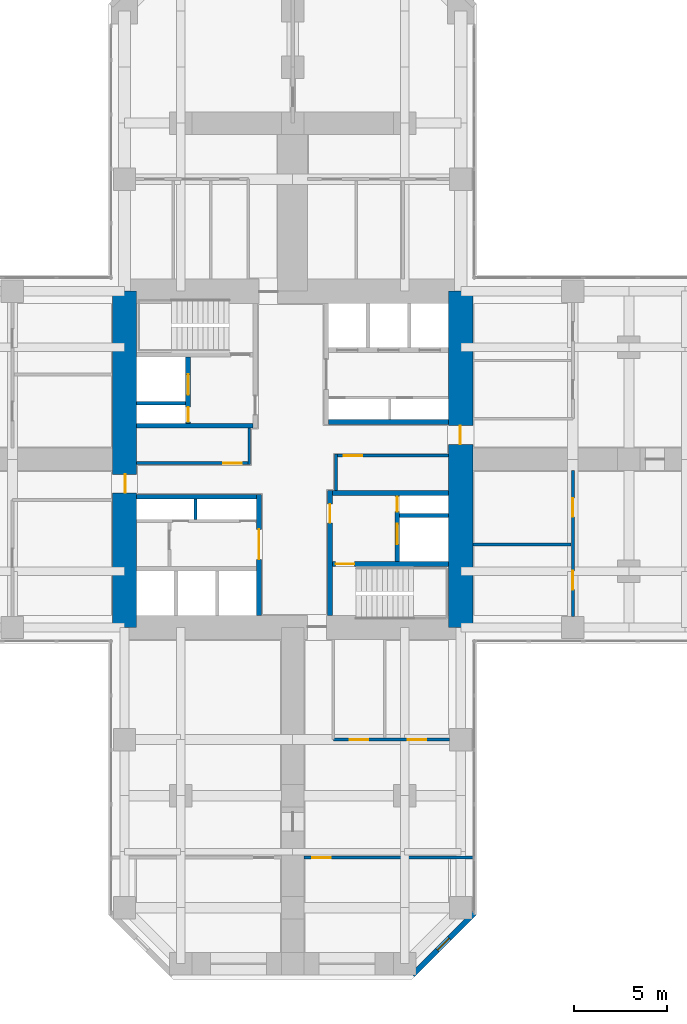
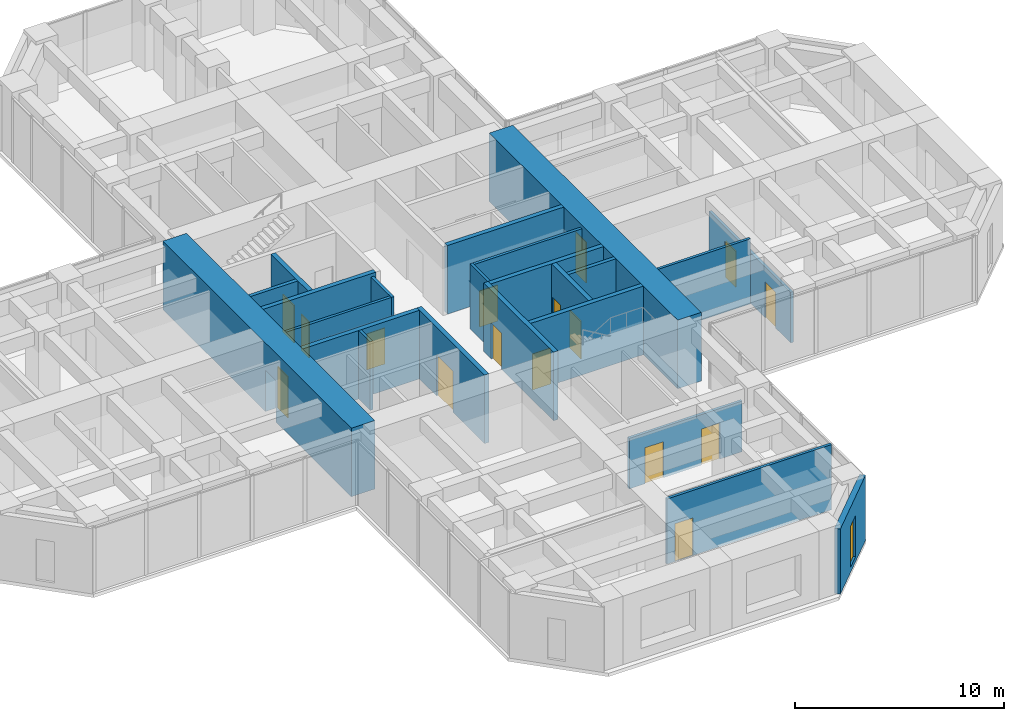
# One storey, part 9 of 12: 23 walls, 16 doors, 1 window, 17 openings.
"""IFC4 building model written with IfcOpenShell, lengths in metres."""

from ifc_helpers import new_model, si_unit, direction, frame, frame_2d, origin, place, context, subcontext, project, spatial, rectangle, hollow_rectangle, extrude, material, layer, layer_set, constituent, constituent_set, type_object, element, fill, save


model = new_model("IFC4")

# Units and contexts
model_context = context("Model", 3, precision=1e-05, world=origin(), true_north=direction((0.0, 1.0)))
body_context = subcontext(model_context, "Body", "Model", "MODEL_VIEW")
ifc_project = project(units=[si_unit("LENGTHUNIT", "METRE"), si_unit("AREAUNIT", "SQUARE_METRE"), si_unit("VOLUMEUNIT", "CUBIC_METRE"), si_unit("PLANEANGLEUNIT", "RADIAN"), si_unit("MASSUNIT", "GRAM", prefix="KILO")], contexts=[model_context])

# Site, building, storey
site_placement = place(None, origin())
site = spatial("IfcSite", under=ifc_project, at=site_placement, CompositionType="ELEMENT")
building_placement = place(site_placement, origin())
building = spatial("IfcBuilding", under=site, at=building_placement, Name="Torre Cruceta", CompositionType="ELEMENT")
storey_placement = place(building_placement, frame((0.0, 0.0, 87.5)))
storey = spatial("IfcBuildingStorey", under=building, at=storey_placement, Name="L21", CompositionType="ELEMENT", Elevation=87.5)

# Walls
ifc_material_1 = material(Name="Concrete G60 (fck 60 MPa)", Category="concrete")
ifc_layer_1 = layer(ifc_material_1, 0.25)
ifc_layer_set_1 = layer_set([ifc_layer_1], Name="Concrete G60 (fck 60 MPa)")
wall_type_1 = type_object("IfcWallType", Name="CORE INNER WALL 250 G60", PredefinedType="SHEAR", material=ifc_layer_set_1)
wall_1_placement = place(storey_placement, frame((1.925048828125, 2.0, 0.0), z_axis=(0.0, 0.0, 1.0), x_axis=(1.0, 0.0, 0.0)))
element("IfcWall", 1, at=wall_1_placement, inside=storey, type_object=wall_type_1, Name="CW4 L21 NE-CV", PredefinedType="SHEAR", context=body_context, shape_type="SweptSolid", body=[
    extrude(rectangle(XDim=6.425048828125, YDim=0.25, at=frame_2d((3.21240234375, 0.0))), origin(), (0.0, 0.0, 1.0), 4.0),
])
wall_2_placement = place(storey_placement, frame((-2.125, 1.800048828125, 0.0), z_axis=(0.0, 0.0, 1.0), x_axis=(-1.0, 0.0, 0.0)))
element("IfcWall", 2, at=wall_2_placement, inside=storey, type_object=wall_type_1, Name="CW4 L21 NW-CV", PredefinedType="SHEAR", context=body_context, shape_type="SweptSolid", body=[
    extrude(rectangle(XDim=6.22509765625, YDim=0.25, at=frame_2d((3.112548828125, 0.0))), origin(), (0.0, 0.0, 1.0), 4.0),
])

# Wall, openings, doors
wall_3_placement = place(storey_placement, frame((-5.60009765625, 1.925048828125, 0.0), z_axis=(0.0, 0.0, 1.0), x_axis=(0.0, 1.0, 0.0)))
wall_3 = element("IfcWall", 3, at=wall_3_placement, inside=storey, type_object=wall_type_1, Name="CW4 L21 NW-FU", PredefinedType="SHEAR", context=body_context, shape_type="SweptSolid", body=[
    extrude(rectangle(XDim=3.550048828125, YDim=0.25, at=frame_2d((1.77490234375, 0.0))), origin(), (0.0, 0.0, 1.0), 4.0),
])
opening_1_placement = place(wall_3_placement, frame((1.52490234375, 0.0, 0.0)))
opening_1 = element("IfcOpeningElement", 4, at=opening_1_placement, cuts=wall_3, Name="Opening LD1", PredefinedType="OPENING", context=body_context, shape_type="SweptSolid", body=[
    extrude(rectangle(XDim=1.10009765625, YDim=2.199951171875, at=frame_2d((0.550048828125, 1.10009765625))), frame((0.0, 0.135009765625, 0.0), z_axis=(0.0, -1.0, 0.0), x_axis=(1.0, 0.0, 0.0)), (0.0, 0.0, 1.0), 0.27001953125),
])
opening_2_placement = place(wall_3_placement, frame((0.074951171875, 0.0, 0.0)))
opening_2 = element("IfcOpeningElement", 5, at=opening_2_placement, cuts=wall_3, Name="Opening D5", PredefinedType="OPENING", context=body_context, shape_type="SweptSolid", body=[
    extrude(rectangle(XDim=0.800048828125, YDim=2.10009765625, at=frame_2d((0.39990234375, 1.050048828125))), frame((0.0, 0.135009765625, 0.0), z_axis=(0.0, -1.0, 0.0), x_axis=(1.0, 0.0, 0.0)), (0.0, 0.0, 1.0), 0.27001953125),
])
ifc_material_2 = material(Name="Stainless steel 1.4401", Category="steel")
door_type_1 = type_object("IfcDoorType", Name="LIFT LANDING DOOR 1100X2200", OperationType="DOUBLE_DOOR_SLIDING", PredefinedType="DOOR", material=ifc_material_2)
door_1_placement = place(opening_1_placement, origin())
door_1 = element("IfcDoor", 6, at=door_1_placement, inside=storey, type_object=door_type_1, Name="Lift landing door FL1", OperationType="DOUBLE_DOOR_SLIDING", OverallHeight=2.199951171875, OverallWidth=1.10009765625, PredefinedType="DOOR", context=body_context, shape_type="SweptSolid", body=[
    extrude(rectangle(XDim=1.10009765625, YDim=2.199951171875, at=frame_2d((0.550048828125, 1.10009765625))), frame((0.0, 0.02490234375, 0.0), z_axis=(0.0, -1.0, 0.0), x_axis=(1.0, 0.0, 0.0)), (0.0, 0.0, 1.0), 0.050048828125),
])
fill(opening_1, door_1)
ifc_material_3 = material(Name="Steel DX51D", Category="steel")
ifc_constituent_1 = constituent(ifc_material_3, Name="Leaf and frame")
ifc_material_4 = material(Name="Polyester powder coating", Category="paint")
ifc_constituent_2 = constituent(ifc_material_4, Name="Finish")
ifc_constituent_set_1 = constituent_set(constituents=[ifc_constituent_1, ifc_constituent_2], Name="Steel fire door")
door_type_2 = type_object("IfcDoorType", Name="RISER ACCESS DOOR 800X2100", OperationType="SINGLE_SWING_LEFT", PredefinedType="DOOR", material=ifc_constituent_set_1)
door_2_placement = place(opening_2_placement, origin())
door_2 = element("IfcDoor", 7, at=door_2_placement, inside=storey, type_object=door_type_2, Name="D5 L21 NW-RISER", OperationType="SINGLE_SWING_LEFT", OverallHeight=2.10009765625, OverallWidth=0.800048828125, PredefinedType="DOOR", context=body_context, shape_type="SweptSolid", body=[
    extrude(rectangle(XDim=0.800048828125, YDim=2.10009765625, at=frame_2d((0.39990234375, 1.050048828125))), frame((0.0, 0.02490234375, 0.0), z_axis=(0.0, -1.0, 0.0), x_axis=(1.0, 0.0, 0.0)), (0.0, 0.0, 1.0), 0.050048828125),
])
fill(opening_2, door_2)

# Wall, opening, door
wall_4_placement = place(storey_placement, frame((-1.800048828125, -1.875, 0.0), z_axis=(0.0, 0.0, 1.0), x_axis=(0.0, -1.0, 0.0)))
wall_4 = element("IfcWall", 8, at=wall_4_placement, inside=storey, type_object=wall_type_1, Name="CW4 L21 SW-CU", PredefinedType="SHEAR", context=body_context, shape_type="SweptSolid", body=[
    extrude(rectangle(XDim=6.47509765625, YDim=0.25, at=frame_2d((3.237548828125, 0.0))), origin(), (0.0, 0.0, 1.0), 4.0),
])
opening_3_placement = place(wall_4_placement, frame((1.875, 0.0, 0.0)))
opening_3 = element("IfcOpeningElement", 9, at=opening_3_placement, cuts=wall_4, Name="Opening D15", PredefinedType="OPENING", context=body_context, shape_type="SweptSolid", body=[
    extrude(rectangle(XDim=1.60009765625, YDim=2.39990234375, at=frame_2d((0.800048828125, 1.199951171875))), frame((0.0, 0.135009765625, 0.0), z_axis=(0.0, -1.0, 0.0), x_axis=(1.0, 0.0, 0.0)), (0.0, 0.0, 1.0), 0.27001953125),
])
ifc_material_5 = material(Name="Steel DX51D", Category="steel")
ifc_constituent_3 = constituent(ifc_material_5, Name="Leaf and frame")
ifc_material_6 = material(Name="Polyester powder coating", Category="paint")
ifc_constituent_4 = constituent(ifc_material_6, Name="Finish")
ifc_constituent_set_2 = constituent_set(constituents=[ifc_constituent_3, ifc_constituent_4], Name="Steel fire door")
door_type_3 = type_object("IfcDoorType", Name="CORE ROOM DOUBLE DOOR 1600X2400", OperationType="DOUBLE_DOOR_SINGLE_SWING", PredefinedType="DOOR", material=ifc_constituent_set_2)
door_3_placement = place(opening_3_placement, frame((1.60009765625, 0.0, 0.0), z_axis=(0.0, 0.0, 1.0), x_axis=(-1.0, 0.0, 0.0)))
door_3 = element("IfcDoor", 10, at=door_3_placement, inside=storey, type_object=door_type_3, Name="D15 L21 SW-LOBBY", OperationType="DOUBLE_DOOR_SINGLE_SWING", OverallHeight=2.39990234375, OverallWidth=1.60009765625, PredefinedType="DOOR", context=body_context, shape_type="SweptSolid", body=[
    extrude(rectangle(XDim=1.60009765625, YDim=2.39990234375, at=frame_2d((0.800048828125, 1.199951171875))), frame((0.0, 0.025146484375, 0.0), z_axis=(0.0, -1.0, 0.0), x_axis=(1.0, 0.0, 0.0)), (0.0, 0.0, 1.0), 0.050048828125),
])
fill(opening_3, door_3)

# Wall
wall_5_placement = place(storey_placement, frame((-1.925048828125, -2.0, 0.0), z_axis=(0.0, 0.0, 1.0), x_axis=(-1.0, 0.0, 0.0)))
element("IfcWall", 11, at=wall_5_placement, inside=storey, type_object=wall_type_1, Name="CW4 L21 SW-CV", PredefinedType="SHEAR", context=body_context, shape_type="SweptSolid", body=[
    extrude(rectangle(XDim=6.425048828125, YDim=0.25, at=frame_2d((3.21240234375, 0.0))), origin(), (0.0, 0.0, 1.0), 4.0),
])

# Wall, opening, door
wall_6_placement = place(storey_placement, frame((2.0, -1.675048828125, 0.0), z_axis=(0.0, 0.0, 1.0), x_axis=(0.0, -1.0, 0.0)))
wall_6 = element("IfcWall", 12, at=wall_6_placement, inside=storey, type_object=wall_type_1, Name="CW4 L21 SE-CU", PredefinedType="SHEAR", context=body_context, shape_type="SweptSolid", body=[
    extrude(rectangle(XDim=6.675048828125, YDim=0.25, at=frame_2d((3.33740234375, 0.0))), origin(), (0.0, 0.0, 1.0), 4.0),
])
opening_4_placement = place(wall_6_placement, frame((0.72509765625, 0.0, 0.0)))
opening_4 = element("IfcOpeningElement", 13, at=opening_4_placement, cuts=wall_6, Name="Opening D3", PredefinedType="OPENING", context=body_context, shape_type="SweptSolid", body=[
    extrude(rectangle(XDim=1.0, YDim=2.10009765625, at=frame_2d((0.5, 1.050048828125))), frame((0.0, 0.135009765625, 0.0), z_axis=(0.0, -1.0, 0.0), x_axis=(1.0, 0.0, 0.0)), (0.0, 0.0, 1.0), 0.27001953125),
])
ifc_material_7 = material(Name="Steel DX51D", Category="steel")
ifc_constituent_5 = constituent(ifc_material_7, Name="Leaf and frame")
ifc_material_8 = material(Name="Polyester powder coating", Category="paint")
ifc_constituent_6 = constituent(ifc_material_8, Name="Finish")
ifc_constituent_set_3 = constituent_set(constituents=[ifc_constituent_5, ifc_constituent_6], Name="Steel fire door")
door_type_4 = type_object("IfcDoorType", Name="FIRE DOOR 1000X2100", OperationType="SINGLE_SWING_LEFT", PredefinedType="DOOR", material=ifc_constituent_set_3)
door_4_placement = place(opening_4_placement, origin())
door_4 = element("IfcDoor", 14, at=door_4_placement, inside=storey, type_object=door_type_4, Name="D3 L21 SE-LOBBY", OperationType="SINGLE_SWING_LEFT", OverallHeight=2.10009765625, OverallWidth=1.0, PredefinedType="DOOR", context=body_context, shape_type="SweptSolid", body=[
    extrude(rectangle(XDim=1.0, YDim=2.10009765625, at=frame_2d((0.5, 1.050048828125))), frame((0.0, 0.02490234375, 0.0), z_axis=(0.0, -1.0, 0.0), x_axis=(1.0, 0.0, 0.0)), (0.0, 0.0, 1.0), 0.050048828125),
])
fill(opening_4, door_4)

# Wall
wall_7_placement = place(storey_placement, frame((2.125, -1.800048828125, 0.0), z_axis=(0.0, 0.0, 1.0), x_axis=(1.0, 0.0, 0.0)))
element("IfcWall", 15, at=wall_7_placement, inside=storey, type_object=wall_type_1, Name="CW4 L21 SE-CV", PredefinedType="SHEAR", context=body_context, shape_type="SweptSolid", body=[
    extrude(rectangle(XDim=6.22509765625, YDim=0.25, at=frame_2d((3.112548828125, 0.0))), origin(), (0.0, 0.0, 1.0), 4.0),
])

# Wall, opening, door
wall_8_placement = place(storey_placement, frame((2.125, -5.60009765625, 0.0), z_axis=(0.0, 0.0, 1.0), x_axis=(1.0, 0.0, 0.0)))
wall_8 = element("IfcWall", 16, at=wall_8_placement, inside=storey, type_object=wall_type_1, Name="CW4 L21 SE-SV", PredefinedType="SHEAR", context=body_context, shape_type="SweptSolid", body=[
    extrude(rectangle(XDim=6.22509765625, YDim=0.25, at=frame_2d((3.112548828125, 0.0))), origin(), (0.0, 0.0, 1.0), 4.0),
])
opening_5_placement = place(wall_8_placement, frame((0.175048828125, 0.0, 0.0)))
opening_5 = element("IfcOpeningElement", 17, at=opening_5_placement, cuts=wall_8, Name="Opening D3", PredefinedType="OPENING", context=body_context, shape_type="SweptSolid", body=[
    extrude(rectangle(XDim=1.0, YDim=2.10009765625, at=frame_2d((0.5, 1.050048828125))), frame((0.0, 0.135009765625, 0.0), z_axis=(0.0, -1.0, 0.0), x_axis=(1.0, 0.0, 0.0)), (0.0, 0.0, 1.0), 0.27001953125),
])
door_5_placement = place(opening_5_placement, frame((1.0, 0.0, 0.0), z_axis=(0.0, 0.0, 1.0), x_axis=(-1.0, 0.0, 0.0)))
door_5 = element("IfcDoor", 18, at=door_5_placement, inside=storey, type_object=door_type_4, Name="D3 L21 SE-STAIR", OperationType="SINGLE_SWING_RIGHT", OverallHeight=2.10009765625, OverallWidth=1.0, PredefinedType="DOOR", context=body_context, shape_type="SweptSolid", body=[
    extrude(rectangle(XDim=1.0, YDim=2.10009765625, at=frame_2d((0.5, 1.050048828125))), frame((0.0, 0.025146484375, 0.0), z_axis=(0.0, -1.0, 0.0), x_axis=(1.0, 0.0, 0.0)), (0.0, 0.0, 1.0), 0.050048828125),
])
fill(opening_5, door_5)

# Wall, openings, doors
wall_9_placement = place(storey_placement, frame((5.60009765625, -1.925048828125, 0.0), z_axis=(0.0, 0.0, 1.0), x_axis=(0.0, -1.0, 0.0)))
wall_9 = element("IfcWall", 19, at=wall_9_placement, inside=storey, type_object=wall_type_1, Name="CW4 L21 SE-FU", PredefinedType="SHEAR", context=body_context, shape_type="SweptSolid", body=[
    extrude(rectangle(XDim=3.550048828125, YDim=0.25, at=frame_2d((1.77490234375, 0.0))), origin(), (0.0, 0.0, 1.0), 4.0),
])
opening_6_placement = place(wall_9_placement, frame((1.52490234375, 0.0, 0.0)))
opening_6 = element("IfcOpeningElement", 20, at=opening_6_placement, cuts=wall_9, Name="Opening LD1", PredefinedType="OPENING", context=body_context, shape_type="SweptSolid", body=[
    extrude(rectangle(XDim=1.10009765625, YDim=2.199951171875, at=frame_2d((0.550048828125, 1.10009765625))), frame((0.0, 0.135009765625, 0.0), z_axis=(0.0, -1.0, 0.0), x_axis=(1.0, 0.0, 0.0)), (0.0, 0.0, 1.0), 0.27001953125),
])
opening_7_placement = place(wall_9_placement, frame((0.074951171875, 0.0, 0.0)))
opening_7 = element("IfcOpeningElement", 21, at=opening_7_placement, cuts=wall_9, Name="Opening D5", PredefinedType="OPENING", context=body_context, shape_type="SweptSolid", body=[
    extrude(rectangle(XDim=0.800048828125, YDim=2.10009765625, at=frame_2d((0.39990234375, 1.050048828125))), frame((0.0, 0.135009765625, 0.0), z_axis=(0.0, -1.0, 0.0), x_axis=(1.0, 0.0, 0.0)), (0.0, 0.0, 1.0), 0.27001953125),
])
door_6_placement = place(opening_6_placement, origin())
door_6 = element("IfcDoor", 22, at=door_6_placement, inside=storey, type_object=door_type_1, Name="Lift landing door FL2", OperationType="DOUBLE_DOOR_SLIDING", OverallHeight=2.199951171875, OverallWidth=1.10009765625, PredefinedType="DOOR", context=body_context, shape_type="SweptSolid", body=[
    extrude(rectangle(XDim=1.10009765625, YDim=2.199951171875, at=frame_2d((0.550048828125, 1.10009765625))), frame((0.0, 0.02490234375, 0.0), z_axis=(0.0, -1.0, 0.0), x_axis=(1.0, 0.0, 0.0)), (0.0, 0.0, 1.0), 0.050048828125),
])
fill(opening_6, door_6)
door_7_placement = place(opening_7_placement, origin())
door_7 = element("IfcDoor", 23, at=door_7_placement, inside=storey, type_object=door_type_2, Name="D5 L21 SE-RISER", OperationType="SINGLE_SWING_LEFT", OverallHeight=2.10009765625, OverallWidth=0.800048828125, PredefinedType="DOOR", context=body_context, shape_type="SweptSolid", body=[
    extrude(rectangle(XDim=0.800048828125, YDim=2.10009765625, at=frame_2d((0.39990234375, 1.050048828125))), frame((0.0, 0.02490234375, 0.0), z_axis=(0.0, -1.0, 0.0), x_axis=(1.0, 0.0, 0.0)), (0.0, 0.0, 1.0), 0.050048828125),
])
fill(opening_7, door_7)

# Wall, opening, door
ifc_material_9 = material(Name="Concrete G60 (fck 60 MPa)", Category="concrete")
ifc_layer_2 = layer(ifc_material_9, 1.300048828125)
ifc_layer_set_2 = layer_set([ifc_layer_2], Name="Concrete G60 (fck 60 MPa)")
wall_type_2 = type_object("IfcWallType", Name="CORE WALL 1300 G60", PredefinedType="SHEAR", material=ifc_layer_set_2)
wall_10_placement = place(storey_placement, frame((9.0, -9.0, 0.0), z_axis=(0.0, 0.0, 1.0), x_axis=(0.0, 1.0, 0.0)))
wall_10 = element("IfcWall", 24, at=wall_10_placement, inside=storey, type_object=wall_type_2, Name="CW1 L21 CW-E", PredefinedType="SHEAR", context=body_context, shape_type="SweptSolid", body=[
    extrude(rectangle(XDim=18.0, YDim=1.300048828125, at=frame_2d((9.0, 0.0))), origin(), (0.0, 0.0, 1.0), 4.0),
])
opening_8_placement = place(wall_10_placement, frame((9.800048828125, 0.0, 0.0)))
opening_8 = element("IfcOpeningElement", 25, at=opening_8_placement, cuts=wall_10, Name="Opening D4", PredefinedType="OPENING", context=body_context, shape_type="SweptSolid", body=[
    extrude(rectangle(XDim=1.0, YDim=2.39990234375, at=frame_2d((0.5, 1.199951171875))), frame((0.0, 0.659912109375, 0.0), z_axis=(0.0, -1.0, 0.0), x_axis=(1.0, 0.0, 0.0)), (0.0, 0.0, 1.0), 1.320068359375),
])
ifc_material_10 = material(Name="Steel DX51D", Category="steel")
ifc_constituent_7 = constituent(ifc_material_10, Name="Leaf and frame")
ifc_material_11 = material(Name="Polyester powder coating", Category="paint")
ifc_constituent_8 = constituent(ifc_material_11, Name="Finish")
ifc_constituent_set_4 = constituent_set(constituents=[ifc_constituent_7, ifc_constituent_8], Name="Steel fire door")
door_type_5 = type_object("IfcDoorType", Name="CORE ARM DOOR 1000X2400", OperationType="SINGLE_SWING_RIGHT", PredefinedType="DOOR", material=ifc_constituent_set_4)
door_8_placement = place(opening_8_placement, frame((1.0, 0.0, 0.0), z_axis=(0.0, 0.0, 1.0), x_axis=(-1.0, 0.0, 0.0)))
door_8 = element("IfcDoor", 26, at=door_8_placement, inside=storey, type_object=door_type_5, Name="D4 L21 CW-E", OperationType="SINGLE_SWING_RIGHT", OverallHeight=2.39990234375, OverallWidth=1.0, PredefinedType="DOOR", context=body_context, shape_type="SweptSolid", body=[
    extrude(rectangle(XDim=1.0, YDim=2.39990234375, at=frame_2d((0.5, 1.199951171875))), frame((0.0, -0.005126953125, 0.0), z_axis=(0.0, -1.0, 0.0), x_axis=(1.0, 0.0, 0.0)), (0.0, 0.0, 1.0), 0.050048828125),
])
fill(opening_8, door_8)

wall_11_placement = place(storey_placement, frame((-9.0, 9.0, 0.0), z_axis=(0.0, 0.0, 1.0), x_axis=(0.0, -1.0, 0.0)))
wall_11 = element("IfcWall", 27, at=wall_11_placement, inside=storey, type_object=wall_type_2, Name="CW1 L21 CW-W", PredefinedType="SHEAR", context=body_context, shape_type="SweptSolid", body=[
    extrude(rectangle(XDim=18.0, YDim=1.300048828125, at=frame_2d((9.0, 0.0))), origin(), (0.0, 0.0, 1.0), 4.0),
])
opening_9_placement = place(wall_11_placement, frame((9.800048828125, 0.0, 0.0)))
opening_9 = element("IfcOpeningElement", 28, at=opening_9_placement, cuts=wall_11, Name="Opening D4", PredefinedType="OPENING", context=body_context, shape_type="SweptSolid", body=[
    extrude(rectangle(XDim=1.0, YDim=2.39990234375, at=frame_2d((0.5, 1.199951171875))), frame((0.0, 0.659912109375, 0.0), z_axis=(0.0, -1.0, 0.0), x_axis=(1.0, 0.0, 0.0)), (0.0, 0.0, 1.0), 1.320068359375),
])
door_9_placement = place(opening_9_placement, frame((1.0, 0.0, 0.0), z_axis=(0.0, 0.0, 1.0), x_axis=(-1.0, 0.0, 0.0)))
door_9 = element("IfcDoor", 29, at=door_9_placement, inside=storey, type_object=door_type_5, Name="D4 L21 CW-W", OperationType="SINGLE_SWING_RIGHT", OverallHeight=2.39990234375, OverallWidth=1.0, PredefinedType="DOOR", context=body_context, shape_type="SweptSolid", body=[
    extrude(rectangle(XDim=1.0, YDim=2.39990234375, at=frame_2d((0.5, 1.199951171875))), frame((0.0, -0.005126953125, 0.0), z_axis=(0.0, -1.0, 0.0), x_axis=(1.0, 0.0, 0.0)), (0.0, 0.0, 1.0), 0.050048828125),
])
fill(opening_9, door_9)

# Wall, opening, window
ifc_material_12 = material(Name="Concrete G30 (fck 30 MPa)", Category="concrete")
ifc_layer_3 = layer(ifc_material_12, 0.300048828125)
ifc_layer_set_3 = layer_set([ifc_layer_3], Name="Concrete G30 (fck 30 MPa)")
wall_type_3 = type_object("IfcWallType", Name="EXPOSED CONCRETE FACADE WALL 300", PredefinedType="SOLIDWALL", material=ifc_layer_set_3)
wall_12_placement = place(storey_placement, frame((6.418212890625, -27.60009765625, 0.0), z_axis=(0.0, 0.0, 1.0), x_axis=(0.707106781187, 0.707106781187, 0.0)))
wall_12 = element("IfcWall", 30, at=wall_12_placement, inside=storey, type_object=wall_type_3, Name="EW1 facade wall L21 S chamfer 18", PredefinedType="SOLIDWALL", context=body_context, shape_type="SweptSolid", body=[
    extrude(rectangle(XDim=4.66943359375, YDim=0.300048828125, at=frame_2d((2.334716796875, 0.0))), origin(), (0.0, 0.0, 1.0), 3.800048828125),
])
opening_10_placement = place(wall_12_placement, frame((1.884765625, 0.0, 0.300048828125)))
opening_10 = element("IfcOpeningElement", 31, at=opening_10_placement, cuts=wall_12, Name="Opening WN5", PredefinedType="OPENING", context=body_context, shape_type="SweptSolid", body=[
    extrude(rectangle(XDim=0.89990234375, YDim=2.39990234375, at=frame_2d((0.449951171875, 1.199951171875))), frame((0.0, 0.159912109375, 0.0), z_axis=(0.0, -1.0, 0.0), x_axis=(1.0, 0.0, 0.0)), (0.0, 0.0, 1.0), 0.320068359375),
])
ifc_material_13 = material(Name="Aluminium window frame", Category="aluminium")
ifc_constituent_9 = constituent(ifc_material_13, Name="Frame")
ifc_material_14 = material(Name="Laminated insulating glass unit, low-iron clear", Category="glass")
ifc_constituent_10 = constituent(ifc_material_14, Name="Glazing")
ifc_constituent_set_5 = constituent_set(constituents=[ifc_constituent_9, ifc_constituent_10], Name="Aluminium window")
window_type = type_object("IfcWindowType", Name="CHAMFER SLOT WINDOW 900X2400", PartitioningType="SINGLE_PANEL", PredefinedType="WINDOW", material=ifc_constituent_set_5)
window_placement = place(opening_10_placement, origin())
window = element("IfcWindow", 32, at=window_placement, inside=storey, type_object=window_type, Name="WN5 L21 S 1", OverallHeight=2.39990234375, OverallWidth=0.89990234375, PartitioningType="SINGLE_PANEL", PredefinedType="WINDOW", context=body_context, shape_type="SweptSolid", body=[
    extrude(hollow_rectangle(XDim=0.89990234375, YDim=2.39990234375, WallThickness=0.06005859375, at=frame_2d((0.449951171875, 1.199951171875))), frame((0.0, 0.030029296875, 0.0), z_axis=(0.0, -1.0, 0.0), x_axis=(1.0, 0.0, 0.0)), (0.0, 0.0, 1.0), 0.06005859375),
    extrude(rectangle(XDim=0.77880859375, YDim=2.27880859375, at=frame_2d((0.449951171875, 1.199951171875))), frame((0.0, 0.030029296875, 0.0), z_axis=(0.0, -1.0, 0.0), x_axis=(1.0, 0.0, 0.0)), (0.0, 0.0, 1.0), 0.06005859375),
])
fill(opening_10, window)

# Walls
ifc_material_15 = material(Name="Concrete G35 (fck 35 MPa)", Category="concrete")
ifc_layer_4 = layer(ifc_material_15, 0.199951171875)
ifc_layer_set_4 = layer_set([ifc_layer_4], Name="Concrete G35 (fck 35 MPa)")
wall_type_4 = type_object("IfcWallType", Name="LIFT SHAFT WALL 200", PredefinedType="PARTITIONING", material=ifc_layer_set_4)
for number, where, z_axis, x_axis, name in (
    (33, (-5.72509765625, 3.0, 0.0), (0.0, 0.0, 1.0), (-1.0, 0.0, 0.0), "SW1 L21 NW-FR"),
    (34, (5.72509765625, -3.0, 0.0), (0.0, 0.0, 1.0), (1.0, 0.0, 0.0), "SW1 L21 SE-FR"),
):
    element("IfcWall", number, at=place(storey_placement, frame(where, z_axis=z_axis, x_axis=x_axis)), inside=storey, type_object=wall_type_4, Name=name, PredefinedType="PARTITIONING", context=body_context, shape_type="SweptSolid", body=[
        extrude(rectangle(XDim=2.625, YDim=0.199951171875, at=frame_2d((1.3125, 0.0))), origin(), (0.0, 0.0, 1.0), 4.0),
    ])

# Wall, opening, door
ifc_material_16 = material(Name="Plasterboard on steel studs", Category="steel")
ifc_layer_5 = layer(ifc_material_16, 0.14990234375)
ifc_layer_set_5 = layer_set([ifc_layer_5], Name="Plasterboard on steel studs")
wall_type_5 = type_object("IfcWallType", Name="PARTITION 150", PredefinedType="PARTITIONING", material=ifc_layer_set_5)
wall_13_placement = place(storey_placement, frame((2.324951171875, 0.199951171875, 0.0), z_axis=(0.0, 0.0, 1.0), x_axis=(1.0, 0.0, 0.0)))
wall_13 = element("IfcWall", 35, at=wall_13_placement, inside=storey, type_object=wall_type_5, Name="PT1 L21-CORE-LEGE-S-W1", PredefinedType="PARTITIONING", context=body_context, shape_type="SweptSolid", body=[
    extrude(rectangle(XDim=6.025146484375, YDim=0.14990234375, at=frame_2d((3.0126953125, 0.0))), origin(), (0.0, 0.0, 1.0), 3.800048828125),
])
opening_11_placement = place(wall_13_placement, frame((0.39990234375, 0.0, 0.0)))
opening_11 = element("IfcOpeningElement", 36, at=opening_11_placement, cuts=wall_13, Name="Opening D3", PredefinedType="OPENING", context=body_context, shape_type="SweptSolid", body=[
    extrude(rectangle(XDim=1.0, YDim=2.10009765625, at=frame_2d((0.5, 1.050048828125))), frame((0.0, 0.0849609375, 0.0), z_axis=(0.0, -1.0, 0.0), x_axis=(1.0, 0.0, 0.0)), (0.0, 0.0, 1.0), 0.169921875),
])
door_10_placement = place(opening_11_placement, frame((1.0, 0.0, 0.0), z_axis=(0.0, 0.0, 1.0), x_axis=(-1.0, 0.0, 0.0)))
door_10 = element("IfcDoor", 37, at=door_10_placement, inside=storey, type_object=door_type_4, Name="D3 L21-CORE-LEGE-S-W1-D1", OperationType="SINGLE_SWING_RIGHT", OverallHeight=2.10009765625, OverallWidth=1.0, PredefinedType="DOOR", context=body_context, shape_type="SweptSolid", body=[
    extrude(rectangle(XDim=1.0, YDim=2.10009765625, at=frame_2d((0.5, 1.050048828125))), frame((0.0, 0.025146484375, 0.0), z_axis=(0.0, -1.0, 0.0), x_axis=(1.0, 0.0, 0.0)), (0.0, 0.0, 1.0), 0.050048828125),
])
fill(opening_11, door_10)

# Wall
wall_14_placement = place(storey_placement, frame((2.324951171875, -1.675048828125, 0.0), z_axis=(0.0, 0.0, 1.0), x_axis=(0.0, 1.0, 0.0)))
element("IfcWall", 38, at=wall_14_placement, inside=storey, type_object=wall_type_5, Name="PT1 L21-CORE-LEGE-S-W2", PredefinedType="PARTITIONING", context=body_context, shape_type="SweptSolid", body=[
    extrude(rectangle(XDim=1.949951171875, YDim=0.14990234375, at=frame_2d((0.97509765625, 0.0))), origin(), (0.0, 0.0, 1.0), 3.800048828125),
])

# Wall, opening, door
wall_15_placement = place(storey_placement, frame((-2.324951171875, -0.199951171875, 0.0), z_axis=(0.0, 0.0, 1.0), x_axis=(-1.0, 0.0, 0.0)))
wall_15 = element("IfcWall", 39, at=wall_15_placement, inside=storey, type_object=wall_type_5, Name="PT1 L21-CORE-LEGW-N-W1", PredefinedType="PARTITIONING", context=body_context, shape_type="SweptSolid", body=[
    extrude(rectangle(XDim=6.025146484375, YDim=0.14990234375, at=frame_2d((3.0126953125, 0.0))), origin(), (0.0, 0.0, 1.0), 3.800048828125),
])
opening_12_placement = place(wall_15_placement, frame((0.39990234375, 0.0, 0.0)))
opening_12 = element("IfcOpeningElement", 40, at=opening_12_placement, cuts=wall_15, Name="Opening D3", PredefinedType="OPENING", context=body_context, shape_type="SweptSolid", body=[
    extrude(rectangle(XDim=1.0, YDim=2.10009765625, at=frame_2d((0.5, 1.050048828125))), frame((0.0, 0.0849609375, 0.0), z_axis=(0.0, -1.0, 0.0), x_axis=(1.0, 0.0, 0.0)), (0.0, 0.0, 1.0), 0.169921875),
])
door_11_placement = place(opening_12_placement, frame((1.0, 0.0, 0.0), z_axis=(0.0, 0.0, 1.0), x_axis=(-1.0, 0.0, 0.0)))
door_11 = element("IfcDoor", 41, at=door_11_placement, inside=storey, type_object=door_type_4, Name="D3 L21-CORE-LEGW-N-W1-D1", OperationType="SINGLE_SWING_RIGHT", OverallHeight=2.10009765625, OverallWidth=1.0, PredefinedType="DOOR", context=body_context, shape_type="SweptSolid", body=[
    extrude(rectangle(XDim=1.0, YDim=2.10009765625, at=frame_2d((0.5, 1.050048828125))), frame((0.0, 0.025146484375, 0.0), z_axis=(0.0, -1.0, 0.0), x_axis=(1.0, 0.0, 0.0)), (0.0, 0.0, 1.0), 0.050048828125),
])
fill(opening_12, door_11)

# Wall
wall_16_placement = place(storey_placement, frame((-2.324951171875, 1.675048828125, 0.0), z_axis=(0.0, 0.0, 1.0), x_axis=(0.0, -1.0, 0.0)))
element("IfcWall", 42, at=wall_16_placement, inside=storey, type_object=wall_type_5, Name="PT1 L21-CORE-LEGW-N-W2", PredefinedType="PARTITIONING", context=body_context, shape_type="SweptSolid", body=[
    extrude(rectangle(XDim=1.949951171875, YDim=0.14990234375, at=frame_2d((0.97509765625, 0.0))), origin(), (0.0, 0.0, 1.0), 3.800048828125),
])

# Wall, openings, doors
wall_17_placement = place(storey_placement, frame((15.0, -8.39990234375, 0.0), z_axis=(0.0, 0.0, 1.0), x_axis=(0.0, 1.0, 0.0)))
wall_17 = element("IfcWall", 43, at=wall_17_placement, inside=storey, type_object=wall_type_5, Name="PT1 L21-E-BFR", PredefinedType="PARTITIONING", context=body_context, shape_type="SweptSolid", body=[
    extrude(rectangle(XDim=7.7998046875, YDim=0.14990234375, at=frame_2d((3.89990234375, 0.0))), origin(), (0.0, 0.0, 1.0), 2.949951171875),
])
opening_13_placement = place(wall_17_placement, frame((1.425048828125, 0.0, 0.0)))
opening_13 = element("IfcOpeningElement", 44, at=opening_13_placement, cuts=wall_17, Name="Opening D3", PredefinedType="OPENING", context=body_context, shape_type="SweptSolid", body=[
    extrude(rectangle(XDim=1.0, YDim=2.10009765625, at=frame_2d((0.5, 1.050048828125))), frame((0.0, 0.0849609375, 0.0), z_axis=(0.0, -1.0, 0.0), x_axis=(1.0, 0.0, 0.0)), (0.0, 0.0, 1.0), 0.169921875),
])
opening_14_placement = place(wall_17_placement, frame((5.324951171875, 0.0, 0.0)))
opening_14 = element("IfcOpeningElement", 45, at=opening_14_placement, cuts=wall_17, Name="Opening D3", PredefinedType="OPENING", context=body_context, shape_type="SweptSolid", body=[
    extrude(rectangle(XDim=1.0, YDim=2.10009765625, at=frame_2d((0.5, 1.050048828125))), frame((0.0, 0.0849609375, 0.0), z_axis=(0.0, -1.0, 0.0), x_axis=(1.0, 0.0, 0.0)), (0.0, 0.0, 1.0), 0.169921875),
])
door_12_placement = place(opening_13_placement, origin())
door_12 = element("IfcDoor", 46, at=door_12_placement, inside=storey, type_object=door_type_4, Name="D3 L21-E-BFR-D1", OperationType="SINGLE_SWING_RIGHT", OverallHeight=2.10009765625, OverallWidth=1.0, PredefinedType="DOOR", context=body_context, shape_type="SweptSolid", body=[
    extrude(rectangle(XDim=1.0, YDim=2.10009765625, at=frame_2d((0.5, 1.050048828125))), frame((0.0, 0.02490234375, 0.0), z_axis=(0.0, -1.0, 0.0), x_axis=(1.0, 0.0, 0.0)), (0.0, 0.0, 1.0), 0.050048828125),
])
fill(opening_13, door_12)
door_13_placement = place(opening_14_placement, origin())
door_13 = element("IfcDoor", 47, at=door_13_placement, inside=storey, type_object=door_type_4, Name="D3 L21-E-BFR-D2", OperationType="SINGLE_SWING_LEFT", OverallHeight=2.10009765625, OverallWidth=1.0, PredefinedType="DOOR", context=body_context, shape_type="SweptSolid", body=[
    extrude(rectangle(XDim=1.0, YDim=2.10009765625, at=frame_2d((0.5, 1.050048828125))), frame((0.0, 0.02490234375, 0.0), z_axis=(0.0, -1.0, 0.0), x_axis=(1.0, 0.0, 0.0)), (0.0, 0.0, 1.0), 0.050048828125),
])
fill(opening_14, door_13)

# Wall
wall_18_placement = place(storey_placement, frame((9.64990234375, -4.550048828125, 0.0), z_axis=(0.0, 0.0, 1.0), x_axis=(1.0, 0.0, 0.0)))
element("IfcWall", 48, at=wall_18_placement, inside=storey, type_object=wall_type_5, Name="PT1 L21-E-BDR1", PredefinedType="PARTITIONING", context=body_context, shape_type="SweptSolid", body=[
    extrude(rectangle(XDim=5.25, YDim=0.14990234375, at=frame_2d((2.625, 0.0))), origin(), (0.0, 0.0, 1.0), 3.800048828125),
])

# Wall, openings, doors
wall_19_placement = place(storey_placement, frame((2.175048828125, -15.0, 0.0), z_axis=(0.0, 0.0, 1.0), x_axis=(1.0, 0.0, 0.0)))
wall_19 = element("IfcWall", 49, at=wall_19_placement, inside=storey, type_object=wall_type_5, Name="PT1 L21-S-BFL", PredefinedType="PARTITIONING", context=body_context, shape_type="SweptSolid", body=[
    extrude(rectangle(XDim=6.224853515625, YDim=0.14990234375, at=frame_2d((3.1123046875, 0.0))), origin(), (0.0, 0.0, 1.0), 2.949951171875),
])
opening_15_placement = place(wall_19_placement, frame((0.875244140625, 0.0, 0.0)))
opening_15 = element("IfcOpeningElement", 50, at=opening_15_placement, cuts=wall_19, Name="Opening D3", PredefinedType="OPENING", context=body_context, shape_type="SweptSolid", body=[
    extrude(rectangle(XDim=1.0, YDim=2.10009765625, at=frame_2d((0.5, 1.050048828125))), frame((0.0, 0.0849609375, 0.0), z_axis=(0.0, -1.0, 0.0), x_axis=(1.0, 0.0, 0.0)), (0.0, 0.0, 1.0), 0.169921875),
])
opening_16_placement = place(wall_19_placement, frame((3.98779296875, 0.0, 0.0)))
opening_16 = element("IfcOpeningElement", 51, at=opening_16_placement, cuts=wall_19, Name="Opening D3", PredefinedType="OPENING", context=body_context, shape_type="SweptSolid", body=[
    extrude(rectangle(XDim=1.0, YDim=2.10009765625, at=frame_2d((0.5, 1.050048828125))), frame((0.0, 0.0849609375, 0.0), z_axis=(0.0, -1.0, 0.0), x_axis=(1.0, 0.0, 0.0)), (0.0, 0.0, 1.0), 0.169921875),
])
door_14_placement = place(opening_15_placement, origin())
door_14 = element("IfcDoor", 52, at=door_14_placement, inside=storey, type_object=door_type_4, Name="D3 L21-S-BFL-D1", OperationType="SINGLE_SWING_LEFT", OverallHeight=2.10009765625, OverallWidth=1.0, PredefinedType="DOOR", context=body_context, shape_type="SweptSolid", body=[
    extrude(rectangle(XDim=1.0, YDim=2.10009765625, at=frame_2d((0.5, 1.050048828125))), frame((0.0, 0.02490234375, 0.0), z_axis=(0.0, -1.0, 0.0), x_axis=(1.0, 0.0, 0.0)), (0.0, 0.0, 1.0), 0.050048828125),
])
fill(opening_15, door_14)
door_15_placement = place(opening_16_placement, origin())
door_15 = element("IfcDoor", 53, at=door_15_placement, inside=storey, type_object=door_type_4, Name="D3 L21-S-BFL-D2", OperationType="SINGLE_SWING_LEFT", OverallHeight=2.10009765625, OverallWidth=1.0, PredefinedType="DOOR", context=body_context, shape_type="SweptSolid", body=[
    extrude(rectangle(XDim=1.0, YDim=2.10009765625, at=frame_2d((0.5, 1.050048828125))), frame((0.0, 0.02490234375, 0.0), z_axis=(0.0, -1.0, 0.0), x_axis=(1.0, 0.0, 0.0)), (0.0, 0.0, 1.0), 0.050048828125),
])
fill(opening_16, door_15)

# Wall, opening, door
wall_20_placement = place(storey_placement, frame((0.60009765625, -21.320068359375, 0.0), z_axis=(0.0, 0.0, 1.0), x_axis=(1.0, 0.0, 0.0)))
wall_20 = element("IfcWall", 54, at=wall_20_placement, inside=storey, type_object=wall_type_5, Name="PT1 L21-S-TWL", PredefinedType="PARTITIONING", context=body_context, shape_type="SweptSolid", body=[
    extrude(rectangle(XDim=9.079833984375, YDim=0.14990234375, at=frame_2d((4.5400390625, 0.0))), origin(), (0.0, 0.0, 1.0), 3.800048828125),
])
opening_17_placement = place(wall_20_placement, frame((0.449951171875, 0.0, 0.0)))
opening_17 = element("IfcOpeningElement", 55, at=opening_17_placement, cuts=wall_20, Name="Opening D14", PredefinedType="OPENING", context=body_context, shape_type="SweptSolid", body=[
    extrude(rectangle(XDim=1.0, YDim=2.199951171875, at=frame_2d((0.5, 1.10009765625))), frame((0.0, 0.0849609375, 0.0), z_axis=(0.0, -1.0, 0.0), x_axis=(1.0, 0.0, 0.0)), (0.0, 0.0, 1.0), 0.169921875),
])
ifc_material_17 = material(Name="Steel DX51D", Category="steel")
ifc_constituent_11 = constituent(ifc_material_17, Name="Leaf and frame")
ifc_material_18 = material(Name="Polyester powder coating", Category="paint")
ifc_constituent_12 = constituent(ifc_material_18, Name="Finish")
ifc_material_19 = material(Name="Fire-resisting glass", Category="glass")
ifc_constituent_13 = constituent(ifc_material_19, Name="Vision panel")
ifc_constituent_set_6 = constituent_set(constituents=[ifc_constituent_11, ifc_constituent_12, ifc_constituent_13], Name="Steel fire door with vision panel")
door_type_6 = type_object("IfcDoorType", Name="FIRE DOOR VISION PANEL 1000X2200", OperationType="SINGLE_SWING_RIGHT", PredefinedType="DOOR", material=ifc_constituent_set_6)
door_16_placement = place(opening_17_placement, frame((1.0, 0.0, 0.0), z_axis=(0.0, 0.0, 1.0), x_axis=(-1.0, 0.0, 0.0)))
door_16 = element("IfcDoor", 56, at=door_16_placement, inside=storey, type_object=door_type_6, Name="D14 L21-S-TWL-D1", OperationType="SINGLE_SWING_RIGHT", OverallHeight=2.199951171875, OverallWidth=1.0, PredefinedType="DOOR", context=body_context, shape_type="SweptSolid", body=[
    extrude(rectangle(XDim=1.0, YDim=2.199951171875, at=frame_2d((0.5, 1.10009765625))), frame((0.0, 0.025146484375, 0.0), z_axis=(0.0, -1.0, 0.0), x_axis=(1.0, 0.0, 0.0)), (0.0, 0.0, 1.0), 0.050048828125),
])
fill(opening_17, door_16)

# Wall
ifc_material_20 = material(Name="Concrete block masonry", Category="masonry")
ifc_layer_6 = layer(ifc_material_20, 0.14990234375)
ifc_layer_set_6 = layer_set([ifc_layer_6], Name="Concrete block masonry")
wall_type_6 = type_object("IfcWallType", Name="RISER WALL 150", PredefinedType="PARTITIONING", material=ifc_layer_set_6)
wall_21_placement = place(storey_placement, frame((-5.199951171875, -2.125, 0.0), z_axis=(0.0, 0.0, 1.0), x_axis=(0.0, -1.0, 0.0)))
element("IfcWall", 57, at=wall_21_placement, inside=storey, type_object=wall_type_6, Name="SW7 L21 SW-RU", PredefinedType="PARTITIONING", context=body_context, shape_type="SweptSolid", body=[
    extrude(rectangle(XDim=1.10009765625, YDim=0.14990234375, at=frame_2d((0.550048828125, 0.0))), origin(), (0.0, 0.0, 1.0), 4.0),
])

save(model, "model.ifc")
